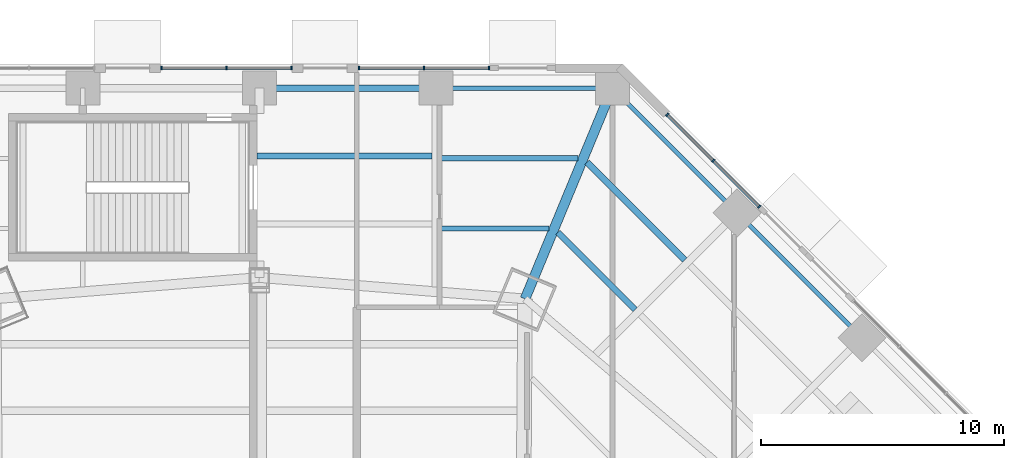
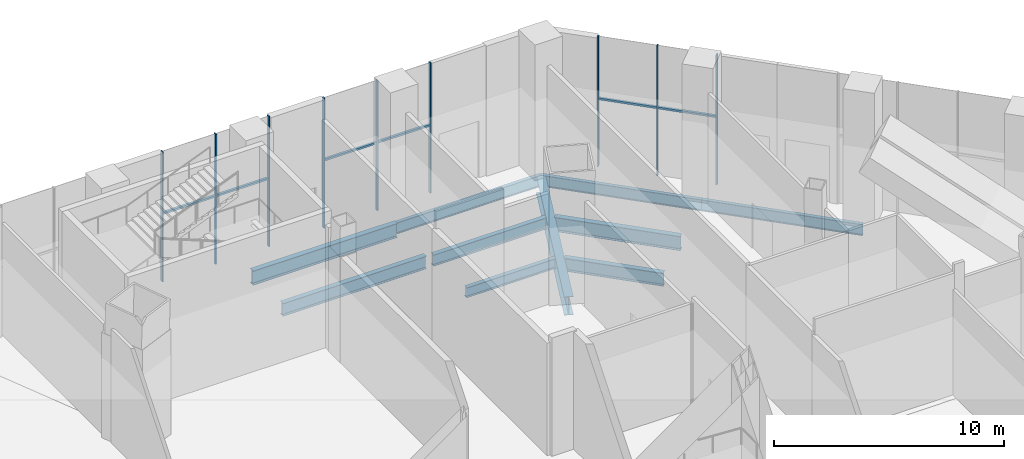
# One storey, part 15 of 35: 15 members, 10 beams, 3 elements without a shape of their own.
"""IFC4 building model written with IfcOpenShell, lengths in metres."""

from ifc_helpers import new_model, si_unit, direction, frame, origin, origin_2d, place, context, subcontext, project, spatial, rectangle, i_section, extrude, source, transform, mapped, material, material_profile, profile_set, type_object, type_shapes, element, aggregate, save


model = new_model("IFC4")

# Units and contexts
model_context = context("Model", 3, precision=1e-05, world=origin(), true_north=direction((0.0, 1.0)))
body_context = subcontext(model_context, "Body", "Model", "MODEL_VIEW")
ifc_project = project(units=[si_unit("LENGTHUNIT", "METRE"), si_unit("AREAUNIT", "SQUARE_METRE"), si_unit("VOLUMEUNIT", "CUBIC_METRE"), si_unit("PLANEANGLEUNIT", "RADIAN"), si_unit("MASSUNIT", "GRAM", prefix="KILO")], contexts=[model_context])

# Site, building, storey
site_placement = place(None, origin())
site = spatial("IfcSite", under=ifc_project, at=site_placement, CompositionType="ELEMENT")
building_placement = place(site_placement, origin())
building = spatial("IfcBuilding", under=site, at=building_placement, Name="Mashrafa Tower", CompositionType="ELEMENT")
storey_placement = place(building_placement, origin())
storey = spatial("IfcBuildingStorey", under=building, at=storey_placement, Name="L00", CompositionType="ELEMENT", Elevation=0.0)

# Beams
ifc_material_1 = material(Name="Steel ASTM A992", Category="steel")
ifc_material_profile_1 = material_profile(ifc_material_1, i_section(OverallWidth=0.209228515625, OverallDepth=0.533447265625, WebThickness=0.01025390625, FlangeThickness=0.015625, FilletRadius=0.012939453125, at=origin_2d()), Name="W21X62")
ifc_profile_set_1 = profile_set([ifc_material_profile_1], Name="Steel ASTM A992")
beam_type_1 = type_object("IfcBeamType", Name="Beam W21X62", PredefinedType="BEAM", material=ifc_profile_set_1)
beam_1_placement = place(storey_placement, frame((7.40234375, 29.22998046875, -0.566650390625), z_axis=(1.0, 0.0, 0.0), x_axis=(0.0, 1.0, 0.0)))
element("IfcBeam", 1, at=beam_1_placement, inside=storey, type_object=beam_type_1, Name="Floor beam L00 060", PredefinedType="BEAM", context=body_context, shape_type="SweptSolid", body=[
    extrude(i_section(OverallWidth=0.209228515625, OverallDepth=0.533447265625, WebThickness=0.01025390625, FlangeThickness=0.015625, FilletRadius=0.012939453125, at=origin_2d()), origin(), (0.0, 0.0, 1.0), 4.488037109375),
])
ifc_material_2 = material(Name="Steel ASTM A992", Category="steel")
ifc_material_profile_2 = material_profile(ifc_material_2, i_section(OverallWidth=0.177978515625, OverallDepth=0.599365234375, WebThickness=0.010009765625, FlangeThickness=0.012939453125, FilletRadius=0.012939453125, at=origin_2d()), Name="W24X55")
ifc_profile_set_2 = profile_set([ifc_material_profile_2], Name="Steel ASTM A992")
beam_type_2 = type_object("IfcBeamType", Name="Beam W24X55", PredefinedType="BEAM", material=ifc_profile_set_2)
beam_2_placement = place(storey_placement, frame((14.49755859375, 35.0, -0.599609375), z_axis=(-1.0, 0.0, 0.0), x_axis=(0.0, -1.0, 0.0)))
element("IfcBeam", 2, at=beam_2_placement, inside=storey, type_object=beam_type_2, Name="Podium edge beam L00 128", PredefinedType="BEAM", context=body_context, shape_type="SweptSolid", body=[
    extrude(i_section(OverallWidth=0.177978515625, OverallDepth=0.599365234375, WebThickness=0.010009765625, FlangeThickness=0.012939453125, FilletRadius=0.012939453125, at=origin_2d()), origin(), (0.0, 0.0, 1.0), 7.248779296875),
])
beam_3_placement = place(storey_placement, frame((19.623046875, 29.87451171875, -0.599609375), z_axis=(-0.707106781187, 0.707106781187, 0.0), x_axis=(-0.707106781187, -0.707106781187, 0.0)))
element("IfcBeam", 3, at=beam_3_placement, inside=storey, type_object=beam_type_2, Name="Podium edge beam L00 130", PredefinedType="BEAM", context=body_context, shape_type="SweptSolid", body=[
    extrude(i_section(OverallWidth=0.177978515625, OverallDepth=0.599365234375, WebThickness=0.010009765625, FlangeThickness=0.012939453125, FilletRadius=0.012939453125, at=origin_2d()), origin(), (0.0, 0.0, 1.0), 7.24853515625),
])
beam_4_placement = place(storey_placement, frame((24.748779296875, 24.748779296875, -0.599609375), z_axis=(-0.707106781187, 0.707106781187, 0.0), x_axis=(-0.707106781187, -0.707106781187, 0.0)))
element("IfcBeam", 4, at=beam_4_placement, inside=storey, type_object=beam_type_2, Name="Podium edge beam L00 132", PredefinedType="BEAM", context=body_context, shape_type="SweptSolid", body=[
    extrude(i_section(OverallWidth=0.177978515625, OverallDepth=0.599365234375, WebThickness=0.010009765625, FlangeThickness=0.012939453125, FilletRadius=0.012939453125, at=origin_2d()), origin(), (0.0, 0.0, 1.0), 7.248779296875),
])
ifc_material_3 = material(Name="Steel ASTM A992", Category="steel")
ifc_material_profile_3 = material_profile(ifc_material_3, i_section(OverallWidth=0.227783203125, OverallDepth=0.60205078125, WebThickness=0.010498046875, FlangeThickness=0.014892578125, FilletRadius=0.012939453125, at=origin_2d()), Name="W24X68")
ifc_profile_set_3 = profile_set([ifc_material_profile_3], Name="Steel ASTM A992")
beam_type_3 = type_object("IfcBeamType", Name="Beam W24X68", PredefinedType="BEAM", material=ifc_profile_set_3)
beam_5_placement = place(storey_placement, frame((7.40234375, 32.114990234375, -0.60107421875), z_axis=(1.0, 0.0, 0.0), x_axis=(0.0, 1.0, 0.0)))
element("IfcBeam", 5, at=beam_5_placement, inside=storey, type_object=beam_type_3, Name="Floor beam L00 061", PredefinedType="BEAM", context=body_context, shape_type="SweptSolid", body=[
    extrude(i_section(OverallWidth=0.227783203125, OverallDepth=0.60205078125, WebThickness=0.010498046875, FlangeThickness=0.014892578125, FilletRadius=0.012939453125, at=origin_2d()), origin(), (0.0, 0.0, 1.0), 5.682861328125),
])
ifc_material_4 = material(Name="Steel ASTM A992", Category="steel")
ifc_material_profile_4 = material_profile(ifc_material_4, i_section(OverallWidth=0.256591796875, OverallDepth=0.693359375, WebThickness=0.014404296875, FlangeThickness=0.023681640625, FilletRadius=0.01513671875, at=origin_2d()), Name="W27X114")
ifc_profile_set_4 = profile_set([ifc_material_profile_4], Name="Steel ASTM A992")
beam_type_4 = type_object("IfcBeamType", Name="Beam W27X114", PredefinedType="BEAM", material=ifc_profile_set_4)
beam_6_placement = place(storey_placement, frame((12.260986328125, 29.076416015625, -0.646728515625), z_axis=(0.707106781187, -0.707106781187, 0.0), x_axis=(0.707106781187, 0.707106781187, 0.0)))
element("IfcBeam", 6, at=beam_6_placement, inside=storey, type_object=beam_type_4, Name="Floor beam L00 071 part 1", PredefinedType="BEAM", context=body_context, shape_type="SweptSolid", body=[
    extrude(i_section(OverallWidth=0.256591796875, OverallDepth=0.693359375, WebThickness=0.014404296875, FlangeThickness=0.023681640625, FilletRadius=0.01513671875, at=origin_2d()), origin(), (0.0, 0.0, 1.0), 4.48779296875),
])
ifc_material_5 = material(Name="Steel ASTM A992", Category="steel")
ifc_material_profile_5 = material_profile(ifc_material_5, i_section(OverallWidth=0.25390625, OverallDepth=0.67822265625, WebThickness=0.01171875, FlangeThickness=0.016357421875, FilletRadius=0.01513671875, at=origin_2d()), Name="W27X84")
ifc_profile_set_5 = profile_set([ifc_material_profile_5], Name="Steel ASTM A992")
beam_type_5 = type_object("IfcBeamType", Name="Beam W27X84", PredefinedType="BEAM", material=ifc_profile_set_5)
beam_7_placement = place(storey_placement, frame((-0.10009765625, 32.21337890625, -0.63916015625), z_axis=(1.0, 0.0, 0.0), x_axis=(0.0, 1.0, 0.0)))
element("IfcBeam", 7, at=beam_7_placement, inside=storey, type_object=beam_type_5, Name="Floor beam L00 047", PredefinedType="BEAM", context=body_context, shape_type="SweptSolid", body=[
    extrude(i_section(OverallWidth=0.25390625, OverallDepth=0.67822265625, WebThickness=0.01171875, FlangeThickness=0.016357421875, FilletRadius=0.01513671875, at=origin_2d()), origin(), (0.0, 0.0, 1.0), 7.195068359375),
])
ifc_material_6 = material(Name="Steel ASTM A992", Category="steel")
ifc_material_profile_6 = material_profile(ifc_material_6, i_section(OverallWidth=0.2666015625, OverallDepth=0.75439453125, WebThickness=0.01318359375, FlangeThickness=0.01708984375, FilletRadius=0.0166015625, at=origin_2d()), Name="W30X99")
ifc_profile_set_6 = profile_set([ifc_material_profile_6], Name="Steel ASTM A992")
beam_type_6 = type_object("IfcBeamType", Name="Beam W30X99", PredefinedType="BEAM", material=ifc_profile_set_6)
beam_8_placement = place(storey_placement, frame((13.4560546875, 31.96142578125, -0.67724609375), z_axis=(0.707106781187, -0.707106781187, 0.0), x_axis=(0.707106781187, 0.707106781187, 0.0)))
element("IfcBeam", 8, at=beam_8_placement, inside=storey, type_object=beam_type_6, Name="Floor beam L00 075 part 1", PredefinedType="BEAM", context=body_context, shape_type="SweptSolid", body=[
    extrude(i_section(OverallWidth=0.2666015625, OverallDepth=0.75439453125, WebThickness=0.01318359375, FlangeThickness=0.01708984375, FilletRadius=0.0166015625, at=origin_2d()), origin(), (0.0, 0.0, 1.0), 5.682861328125),
])
beam_9_placement = place(storey_placement, frame((7.248779296875, 35.0, -0.67724609375), z_axis=(-1.0, 0.0, 0.0), x_axis=(0.0, -1.0, 0.0)))
element("IfcBeam", 9, at=beam_9_placement, inside=storey, type_object=beam_type_6, Name="Podium edge beam L00 126", PredefinedType="BEAM", context=body_context, shape_type="SweptSolid", body=[
    extrude(i_section(OverallWidth=0.2666015625, OverallDepth=0.75439453125, WebThickness=0.01318359375, FlangeThickness=0.01708984375, FilletRadius=0.0166015625, at=origin_2d()), origin(), (0.0, 0.0, 1.0), 7.248779296875),
])
ifc_material_7 = material(Name="Steel ASTM A992", Category="steel")
ifc_material_profile_7 = material_profile(ifc_material_7, i_section(OverallWidth=0.4013671875, OverallDepth=0.98291015625, WebThickness=0.0166015625, FlangeThickness=0.027099609375, FilletRadius=0.0126953125, at=origin_2d()), Name="W40X199")
ifc_profile_set_7 = profile_set([ifc_material_profile_7], Name="Steel ASTM A992")
beam_type_7 = type_object("IfcBeamType", Name="Beam W40X199", PredefinedType="BEAM", material=ifc_profile_set_7)
beam_10_placement = place(storey_placement, frame((10.91259765625, 26.344970703125, -0.79150390625), z_axis=(0.382677092737, 0.923882158446, 0.0), x_axis=(-0.923882158446, 0.382677092737, 0.0)))
element("IfcBeam", 10, at=beam_10_placement, inside=storey, type_object=beam_type_7, Name="Podium radial beam L00 166", PredefinedType="BEAM", context=body_context, shape_type="SweptSolid", body=[
    extrude(i_section(OverallWidth=0.4013671875, OverallDepth=0.98291015625, WebThickness=0.0166015625, FlangeThickness=0.027099609375, FilletRadius=0.0126953125, at=origin_2d()), origin(), (0.0, 0.0, 1.0), 9.3681640625),
])

# Curtain wall, members
ifc_material_8 = material(Name="Unitised aluminium curtain wall", Category="aluminium")
curtain_wall_type = type_object("IfcCurtainWallType", Name="Podium storefront CW-P 150 deep", PredefinedType="NOTDEFINED", material=ifc_material_8)
curtain_wall_1_placement = place(storey_placement, origin())
curtain_wall_1 = element("IfcCurtainWall", 11, at=curtain_wall_1_placement, inside=storey, type_object=curtain_wall_type, Name="Podium storefront L00 north-east part 2", PredefinedType="NOTDEFINED")
ifc_material_9 = material(Name="Extruded aluminium mullion", Category="aluminium")
ifc_material_profile_8 = material_profile(ifc_material_9, rectangle(XDim=0.14990234375, YDim=0.06494140625, at=origin_2d()), Name="Mullion 65x150")
ifc_profile_set_8 = profile_set([ifc_material_profile_8], Name="Extruded aluminium mullion")
member_type_1 = type_object("IfcMemberType", Name="Mullion CW-P 65 x 150", PredefinedType="MULLION", material=ifc_profile_set_8)
shared_shape_1 = source(origin(), body_context, "Body", "SweptSolid", [
    extrude(rectangle(XDim=0.14990234375, YDim=0.06494140625, at=origin_2d()), origin(), (0.0, 0.0, 1.0), 6.89990234375),
])
type_shapes(member_type_1, [shared_shape_1])
member_1_placement = place(storey_placement, frame((20.529541015625, 30.134521484375, 0.0), z_axis=(0.0, 0.0, 1.0), x_axis=(-0.707106781187, -0.707106781187, 0.0)))
member_1 = element("IfcMember", 12, at=member_1_placement, type_object=member_type_1, Name="CW-P mullion 1", PredefinedType="MULLION", context=body_context, shape_type="MappedRepresentation", body=[
    mapped(shared_shape_1, transform((0.0, 0.0, 0.0))),
])
member_2_placement = place(storey_placement, frame((18.640869140625, 32.0234375, 0.0), z_axis=(0.0, 0.0, 1.0), x_axis=(-0.707106781187, -0.707106781187, 0.0)))
member_2 = element("IfcMember", 13, at=member_2_placement, type_object=member_type_1, Name="CW-P mullion 2", PredefinedType="MULLION", context=body_context, shape_type="MappedRepresentation", body=[
    mapped(shared_shape_1, transform((0.0, 0.0, 0.0))),
])
member_3_placement = place(storey_placement, frame((16.751953125, 33.912109375, 0.0), z_axis=(0.0, 0.0, 1.0), x_axis=(-0.707106781187, -0.707106781187, 0.0)))
member_3 = element("IfcMember", 14, at=member_3_placement, type_object=member_type_1, Name="CW-P mullion 3", PredefinedType="MULLION", context=body_context, shape_type="MappedRepresentation", body=[
    mapped(shared_shape_1, transform((0.0, 0.0, 0.0))),
])

curtain_wall_2_placement = place(storey_placement, origin())
curtain_wall_2 = element("IfcCurtainWall", 15, at=curtain_wall_2_placement, inside=storey, type_object=curtain_wall_type, Name="Podium storefront L00 north part 1", PredefinedType="NOTDEFINED")
member_4_placement = place(storey_placement, frame((9.430419921875, 35.824951171875, 0.0), z_axis=(0.0, 0.0, 1.0), x_axis=(0.0, -1.0, 0.0)))
member_4 = element("IfcMember", 16, at=member_4_placement, type_object=member_type_1, Name="CW-P mullion 1", PredefinedType="MULLION", context=body_context, shape_type="MappedRepresentation", body=[
    mapped(shared_shape_1, transform((0.0, 0.0, 0.0))),
])
member_5_placement = place(storey_placement, frame((6.75927734375, 35.824951171875, 0.0), z_axis=(0.0, 0.0, 1.0), x_axis=(0.0, -1.0, 0.0)))
member_5 = element("IfcMember", 17, at=member_5_placement, type_object=member_type_1, Name="CW-P mullion 2", PredefinedType="MULLION", context=body_context, shape_type="MappedRepresentation", body=[
    mapped(shared_shape_1, transform((0.0, 0.0, 0.0))),
])
member_6_placement = place(storey_placement, frame((4.088134765625, 35.824951171875, 0.0), z_axis=(0.0, 0.0, 1.0), x_axis=(0.0, -1.0, 0.0)))
member_6 = element("IfcMember", 18, at=member_6_placement, type_object=member_type_1, Name="CW-P mullion 3", PredefinedType="MULLION", context=body_context, shape_type="MappedRepresentation", body=[
    mapped(shared_shape_1, transform((0.0, 0.0, 0.0))),
])

curtain_wall_3_placement = place(storey_placement, origin())
curtain_wall_3 = element("IfcCurtainWall", 19, at=curtain_wall_3_placement, inside=storey, type_object=curtain_wall_type, Name="Podium storefront L00 north part 2", PredefinedType="NOTDEFINED")
member_7_placement = place(storey_placement, frame((1.3193359375, 35.824951171875, 0.0), z_axis=(0.0, 0.0, 1.0), x_axis=(0.0, -1.0, 0.0)))
member_7 = element("IfcMember", 20, at=member_7_placement, type_object=member_type_1, Name="CW-P mullion 1", PredefinedType="MULLION", context=body_context, shape_type="MappedRepresentation", body=[
    mapped(shared_shape_1, transform((0.0, 0.0, 0.0))),
])
member_8_placement = place(storey_placement, frame((-1.351806640625, 35.824951171875, 0.0), z_axis=(0.0, 0.0, 1.0), x_axis=(0.0, -1.0, 0.0)))
member_8 = element("IfcMember", 21, at=member_8_placement, type_object=member_type_1, Name="CW-P mullion 2", PredefinedType="MULLION", context=body_context, shape_type="MappedRepresentation", body=[
    mapped(shared_shape_1, transform((0.0, 0.0, 0.0))),
])
member_9_placement = place(storey_placement, frame((-4.02294921875, 35.824951171875, 0.0), z_axis=(0.0, 0.0, 1.0), x_axis=(0.0, -1.0, 0.0)))
member_9 = element("IfcMember", 22, at=member_9_placement, type_object=member_type_1, Name="CW-P mullion 3", PredefinedType="MULLION", context=body_context, shape_type="MappedRepresentation", body=[
    mapped(shared_shape_1, transform((0.0, 0.0, 0.0))),
])

# Member
ifc_material_10 = material(Name="Extruded aluminium transom", Category="aluminium")
ifc_material_profile_9 = material_profile(ifc_material_10, rectangle(XDim=0.1201171875, YDim=0.10009765625, at=origin_2d()), Name="Transom 100x120")
ifc_profile_set_9 = profile_set([ifc_material_profile_9], Name="Extruded aluminium transom")
member_type_2 = type_object("IfcMemberType", Name="Transom CW-P 100 x 120", PredefinedType="MULLION", material=ifc_profile_set_9)
shared_shape_2 = source(origin(), body_context, "Body", "SweptSolid", [
    extrude(rectangle(XDim=0.1201171875, YDim=0.10009765625, at=origin_2d()), origin(), (0.0, 0.0, 1.0), 2.606201171875),
])
type_shapes(member_type_2, [shared_shape_2])
member_10_placement = place(storey_placement, frame((20.506591796875, 30.157470703125, 3.60009765625), z_axis=(-0.707059942066, 0.707153617204, 0.0), x_axis=(-0.707153617204, -0.707059942066, 0.0)))
member_10 = element("IfcMember", 23, at=member_10_placement, type_object=member_type_2, Name="CW-P transom 1", PredefinedType="MULLION", context=body_context, shape_type="MappedRepresentation", body=[
    mapped(shared_shape_2, transform((0.0, 0.0, 0.0))),
])

member_11_placement = place(storey_placement, frame((18.617919921875, 32.04638671875, 3.60009765625), z_axis=(-0.707153617204, 0.707059942066, 0.0), x_axis=(-0.707059942066, -0.707153617204, 0.0)))
member_11 = element("IfcMember", 24, at=member_11_placement, type_object=member_type_2, Name="CW-P transom 2", PredefinedType="MULLION", context=body_context, shape_type="MappedRepresentation", body=[
    mapped(shared_shape_2, transform((0.0, 0.0, 0.0))),
])

aggregate(curtain_wall_1, [member_1, member_2, member_3, member_10, member_11])

member_12_placement = place(storey_placement, frame((9.39794921875, 35.824951171875, 3.60009765625), z_axis=(-1.0, 0.0, 0.0), x_axis=(0.0, -1.0, 0.0)))
member_12 = element("IfcMember", 25, at=member_12_placement, type_object=member_type_2, Name="CW-P transom 1", PredefinedType="MULLION", context=body_context, shape_type="MappedRepresentation", body=[
    mapped(shared_shape_2, transform((0.0, 0.0, 0.0))),
])

member_13_placement = place(storey_placement, frame((6.726806640625, 35.824951171875, 3.60009765625), z_axis=(-1.0, 0.0, 0.0), x_axis=(0.0, -1.0, 0.0)))
member_13 = element("IfcMember", 26, at=member_13_placement, type_object=member_type_2, Name="CW-P transom 2", PredefinedType="MULLION", context=body_context, shape_type="MappedRepresentation", body=[
    mapped(shared_shape_2, transform((0.0, 0.0, 0.0))),
])

aggregate(curtain_wall_2, [member_4, member_5, member_6, member_12, member_13])

member_14_placement = place(storey_placement, frame((1.286865234375, 35.824951171875, 3.60009765625), z_axis=(-1.0, 0.0, 0.0), x_axis=(0.0, -1.0, 0.0)))
member_14 = element("IfcMember", 27, at=member_14_placement, type_object=member_type_2, Name="CW-P transom 1", PredefinedType="MULLION", context=body_context, shape_type="MappedRepresentation", body=[
    mapped(shared_shape_2, transform((0.0, 0.0, 0.0))),
])

member_15_placement = place(storey_placement, frame((-1.38427734375, 35.824951171875, 3.60009765625), z_axis=(-1.0, 0.0, 0.0), x_axis=(0.0, -1.0, 0.0)))
member_15 = element("IfcMember", 28, at=member_15_placement, type_object=member_type_2, Name="CW-P transom 2", PredefinedType="MULLION", context=body_context, shape_type="MappedRepresentation", body=[
    mapped(shared_shape_2, transform((0.0, 0.0, 0.0))),
])

aggregate(curtain_wall_3, [member_7, member_8, member_9, member_14, member_15])

save(model, "model.ifc")
